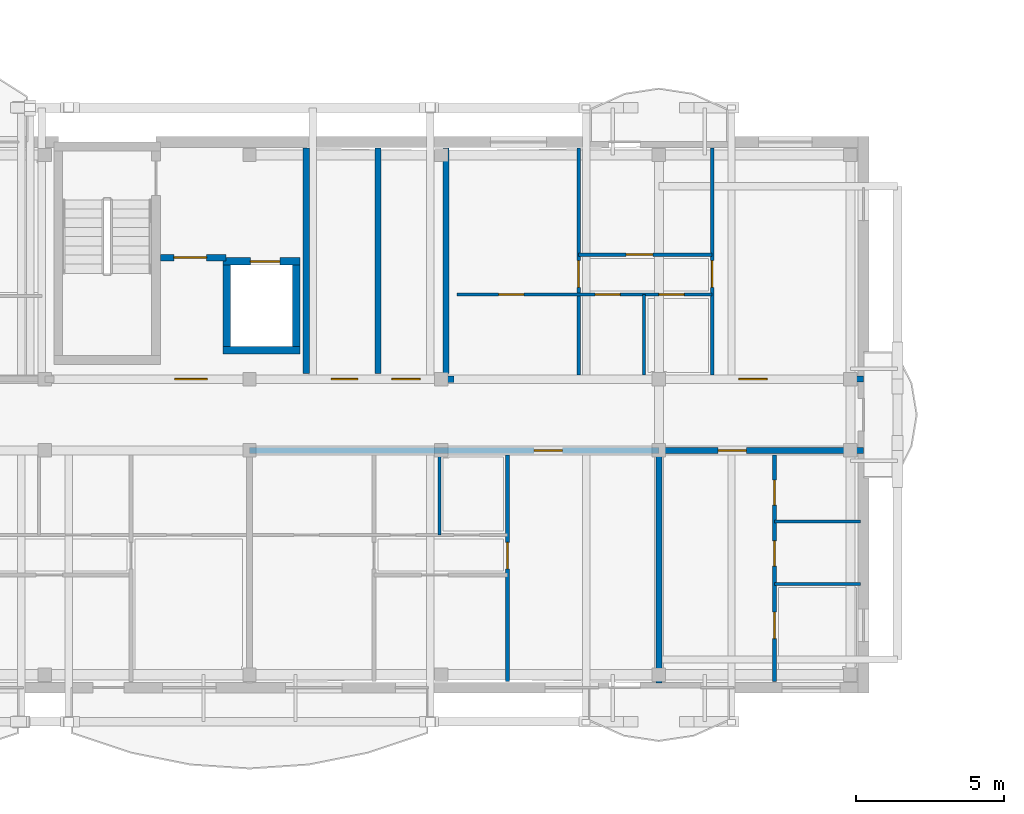
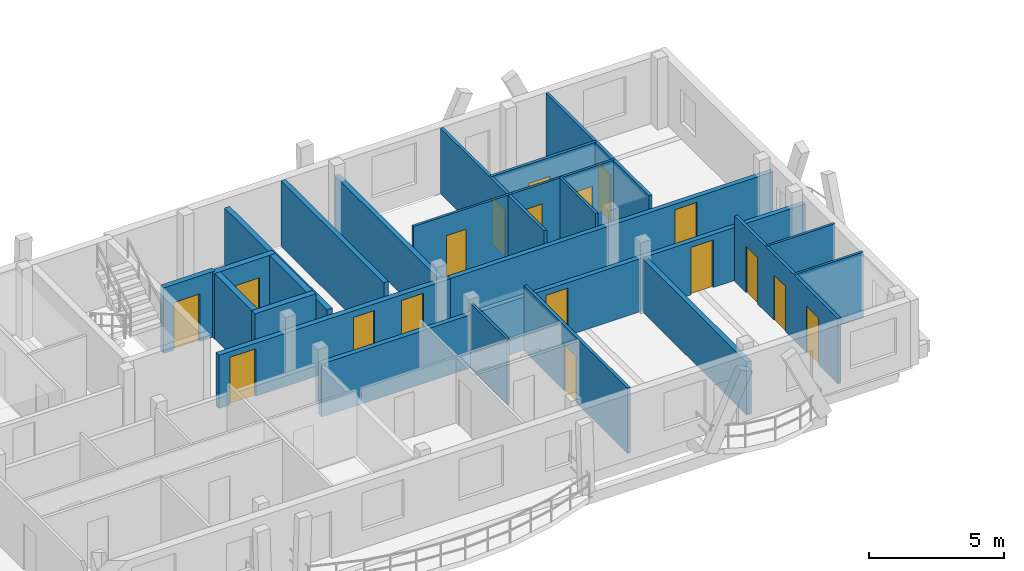
# One storey, part 16 of 41: 23 walls, 18 doors, 18 openings.
"""IFC4 building model written with IfcOpenShell, lengths in metres."""

from ifc_helpers import new_model, si_unit, direction, frame, frame_2d, origin, origin_with_axes, place, context, subcontext, project, spatial, rectangle, extrude, material, layer, layer_set, type_object, element, fill, save


model = new_model("IFC4")

# Units and contexts
model_context = context("Model", 3, precision=1e-05, world=origin(), true_north=direction((0.0, 1.0)))
body_context = subcontext(model_context, "Body", "Model", "MODEL_VIEW")
ifc_project = project(units=[si_unit("LENGTHUNIT", "METRE"), si_unit("AREAUNIT", "SQUARE_METRE"), si_unit("VOLUMEUNIT", "CUBIC_METRE"), si_unit("PLANEANGLEUNIT", "RADIAN"), si_unit("MASSUNIT", "GRAM", prefix="KILO")], contexts=[model_context])

# Site, building, storey
site_placement = place(None, origin())
site = spatial("IfcSite", under=ifc_project, at=site_placement, CompositionType="ELEMENT")
building_placement = place(site_placement, origin())
building = spatial("IfcBuilding", under=site, at=building_placement, Name="Zavelmont Quarter", CompositionType="ELEMENT")
storey_placement = place(building_placement, frame((0.0, 0.0, 27.199951171875)))
storey = spatial("IfcBuildingStorey", under=building, at=storey_placement, Name="L08", CompositionType="ELEMENT", Elevation=27.199951171875)

# Walls
ifc_material_1 = material(Name="Calcium-silicate blockwork and acoustic plaster", Category="masonry")
ifc_layer_1 = layer(ifc_material_1, 0.199951171875)
ifc_layer_set_1 = layer_set([ifc_layer_1], Name="Calcium-silicate blockwork and acoustic plaster")
wall_type_1 = type_object("IfcWallType", Name="IW01", PredefinedType="PARTITIONING", material=ifc_layer_set_1)
wall_1_placement = place(storey_placement, frame((38.824951171875, 10.60009765625, 0.0), z_axis=(0.0, 0.0, 1.0), x_axis=(0.0, 1.0, 0.0)))
element("IfcWall", 1, at=wall_1_placement, inside=storey, type_object=wall_type_1, Name="L08 Service riser divider wall IW01", PredefinedType="PARTITIONING", context=body_context, shape_type="SweptSolid", body=[
    extrude(rectangle(XDim=7.599853515625, YDim=0.199951171875, at=frame_2d((3.7998046875, 0.0))), origin(), (0.0, 0.0, 1.0), 2.9599609375),
])
wall_2_placement = place(storey_placement, frame((41.1201171875, 10.60009765625, 0.0), z_axis=(0.0, 0.0, 1.0), x_axis=(0.0, 1.0, 0.0)))
element("IfcWall", 2, at=wall_2_placement, inside=storey, type_object=wall_type_1, Name="L08 Core service end wall IW01", PredefinedType="PARTITIONING", context=body_context, shape_type="SweptSolid", body=[
    extrude(rectangle(XDim=7.599853515625, YDim=0.199951171875, at=frame_2d((3.7998046875, 0.0))), origin(), (0.0, 0.0, 1.0), 2.400146484375),
])
wall_3_placement = place(storey_placement, frame((48.300048828125, 7.85009765625, 0.0), z_axis=(0.0, 0.0, 1.0), x_axis=(0.0, -1.0, 0.0)))
element("IfcWall", 3, at=wall_3_placement, inside=storey, type_object=wall_type_1, Name="L08 Inter-dwelling compartment wall IW01", PredefinedType="PARTITIONING", context=body_context, shape_type="SweptSolid", body=[
    extrude(rectangle(XDim=7.7001953125, YDim=0.199951171875, at=frame_2d((3.85009765625, 0.0))), origin(), (0.0, 0.0, 1.0), 2.400146484375),
])

# Wall, opening, door
wall_4_placement = place(storey_placement, frame((34.5, 8.0, 0.0), z_axis=(0.0, 0.0, 1.0), x_axis=(1.0, 0.0, 0.0)))
wall_4 = element("IfcWall", 4, at=wall_4_placement, inside=storey, type_object=wall_type_1, Name="L08 Corridor compartment wall IW01", PredefinedType="PARTITIONING", context=body_context, shape_type="SweptSolid", body=[
    extrude(rectangle(XDim=13.800048828125, YDim=0.199951171875, at=frame_2d((6.89990234375, 0.0))), origin(), (0.0, 0.0, 1.0), 2.400146484375),
])
opening_1_placement = place(wall_4_placement, frame((9.60009765625, 0.0, 0.0)))
opening_1 = element("IfcOpeningElement", 5, at=opening_1_placement, cuts=wall_4, Name="Opening DR02", PredefinedType="OPENING", context=body_context, shape_type="SweptSolid", body=[
    extrude(rectangle(XDim=0.949951171875, YDim=2.14990234375, at=frame_2d((0.47509765625, 1.074951171875))), frame((0.0, 0.11181640625, 0.0), z_axis=(0.0, -1.0, 0.0), x_axis=(1.0, 0.0, 0.0)), (0.0, 0.0, 1.0), 0.223876953125),
])
ifc_material_2 = material(Name="Solid-core oak fire leaf in steel frame", Category="steel")
door_type_1 = type_object("IfcDoorType", Name="DR02", OperationType="NOTDEFINED", PredefinedType="DOOR", material=ifc_material_2)
door_1_placement = place(opening_1_placement, frame((0.949951171875, 0.0, 0.0), z_axis=(0.0, 0.0, 1.0), x_axis=(-1.0, 0.0, 0.0)))
door_1 = element("IfcDoor", 6, at=door_1_placement, inside=storey, type_object=door_type_1, Name="L08 door DR02", OperationType="SINGLE_SWING_LEFT", OverallHeight=2.14990234375, OverallWidth=0.949951171875, PredefinedType="DOOR", context=body_context, shape_type="SweptSolid", body=[
    extrude(rectangle(XDim=0.949951171875, YDim=2.14990234375, at=frame_2d((0.47509765625, 1.074951171875))), frame((0.0, 0.02490234375, 0.0), z_axis=(0.0, -1.0, 0.0), x_axis=(1.0, 0.0, 0.0)), (0.0, 0.0, 1.0), 0.050048828125),
])
fill(opening_1, door_1)

wall_5_placement = place(storey_placement, frame((48.300048828125, 8.0, 0.0), z_axis=(0.0, 0.0, 1.0), x_axis=(1.0, 0.0, 0.0)))
wall_5 = element("IfcWall", 7, at=wall_5_placement, inside=storey, type_object=wall_type_1, Name="L08 Corridor compartment wall IW01", PredefinedType="PARTITIONING", context=body_context, shape_type="SweptSolid", body=[
    extrude(rectangle(XDim=6.89990234375, YDim=0.199951171875, at=frame_2d((3.449951171875, 0.0))), origin(), (0.0, 0.0, 1.0), 2.400146484375),
])
opening_2_placement = place(wall_5_placement, frame((2.0, 0.0, 0.0)))
opening_2 = element("IfcOpeningElement", 8, at=opening_2_placement, cuts=wall_5, Name="Opening DR02", PredefinedType="OPENING", context=body_context, shape_type="SweptSolid", body=[
    extrude(rectangle(XDim=0.949951171875, YDim=2.14990234375, at=frame_2d((0.47509765625, 1.074951171875))), frame((0.0, 0.11181640625, 0.0), z_axis=(0.0, -1.0, 0.0), x_axis=(1.0, 0.0, 0.0)), (0.0, 0.0, 1.0), 0.223876953125),
])
door_2_placement = place(opening_2_placement, frame((0.949951171875, 0.0, 0.0), z_axis=(0.0, 0.0, 1.0), x_axis=(-1.0, 0.0, 0.0)))
door_2 = element("IfcDoor", 9, at=door_2_placement, inside=storey, type_object=door_type_1, Name="L08 door DR02", OperationType="SINGLE_SWING_LEFT", OverallHeight=2.14990234375, OverallWidth=0.949951171875, PredefinedType="DOOR", context=body_context, shape_type="SweptSolid", body=[
    extrude(rectangle(XDim=0.949951171875, YDim=2.14990234375, at=frame_2d((0.47509765625, 1.074951171875))), frame((0.0, 0.02490234375, 0.0), z_axis=(0.0, -1.0, 0.0), x_axis=(1.0, 0.0, 0.0)), (0.0, 0.0, 1.0), 0.050048828125),
])
fill(opening_2, door_2)

wall_6_placement = place(storey_placement, frame((41.39990234375, 10.39990234375, 0.0), z_axis=(0.0, 0.0, 1.0), x_axis=(1.0, 0.0, 0.0)))
wall_6 = element("IfcWall", 10, at=wall_6_placement, inside=storey, type_object=wall_type_1, Name="L08 Corridor compartment wall IW01", PredefinedType="PARTITIONING", context=body_context, shape_type="SweptSolid", body=[
    extrude(rectangle(XDim=13.800048828125, YDim=0.199951171875, at=frame_2d((6.89990234375, 0.0))), origin(), (0.0, 0.0, 1.0), 2.400146484375),
])
opening_3_placement = place(wall_6_placement, frame((9.60009765625, 0.0, 0.0)))
opening_3 = element("IfcOpeningElement", 11, at=opening_3_placement, cuts=wall_6, Name="Opening DR02", PredefinedType="OPENING", context=body_context, shape_type="SweptSolid", body=[
    extrude(rectangle(XDim=0.949951171875, YDim=2.14990234375, at=frame_2d((0.47509765625, 1.074951171875))), frame((0.0, 0.11181640625, 0.0), z_axis=(0.0, -1.0, 0.0), x_axis=(1.0, 0.0, 0.0)), (0.0, 0.0, 1.0), 0.223876953125),
])
door_3_placement = place(opening_3_placement, origin_with_axes())
door_3 = element("IfcDoor", 12, at=door_3_placement, inside=storey, type_object=door_type_1, Name="L08 door DR02", OperationType="SINGLE_SWING_LEFT", OverallHeight=2.14990234375, OverallWidth=0.949951171875, PredefinedType="DOOR", context=body_context, shape_type="SweptSolid", body=[
    extrude(rectangle(XDim=0.949951171875, YDim=2.14990234375, at=frame_2d((0.47509765625, 1.074951171875))), frame((0.0, 0.02490234375, 0.0), z_axis=(0.0, -1.0, 0.0), x_axis=(1.0, 0.0, 0.0)), (0.0, 0.0, 1.0), 0.050048828125),
])
fill(opening_3, door_3)

# Wall
ifc_material_3 = material(Name="Reinforced masonry fire compartment wall", Category="masonry")
ifc_layer_2 = layer(ifc_material_3, 0.22509765625)
ifc_layer_set_2 = layer_set([ifc_layer_2], Name="Reinforced masonry fire compartment wall")
wall_type_2 = type_object("IfcWallType", Name="IW02", PredefinedType="PARTITIONING", material=ifc_layer_set_2)
wall_7_placement = place(storey_placement, frame((36.409912109375, 10.60009765625, 0.0), z_axis=(0.0, 0.0, 1.0), x_axis=(0.0, 1.0, 0.0)))
element("IfcWall", 13, at=wall_7_placement, inside=storey, type_object=wall_type_2, Name="L08 Firefighting lobby enclosure wall IW02", PredefinedType="PARTITIONING", context=body_context, shape_type="SweptSolid", body=[
    extrude(rectangle(XDim=7.599853515625, YDim=0.22509765625, at=frame_2d((3.7998046875, 0.0))), origin(), (0.0, 0.0, 1.0), 2.590087890625),
])

# Wall, opening, door
wall_8_placement = place(storey_placement, frame((31.5, 14.5, 0.0), z_axis=(0.0, 0.0, 1.0), x_axis=(1.0, 0.0, 0.0)))
wall_8 = element("IfcWall", 14, at=wall_8_placement, inside=storey, type_object=wall_type_2, Name="L08 Firefighting lobby threshold wall IW02", PredefinedType="PARTITIONING", context=body_context, shape_type="SweptSolid", body=[
    extrude(rectangle(XDim=2.199951171875, YDim=0.22509765625, at=frame_2d((1.10009765625, 0.0))), origin(), (0.0, 0.0, 1.0), 2.9599609375),
])
opening_4_placement = place(wall_8_placement, frame((0.449951171875, 0.0, 0.0)))
opening_4 = element("IfcOpeningElement", 15, at=opening_4_placement, cuts=wall_8, Name="Opening DR10", PredefinedType="OPENING", context=body_context, shape_type="SweptSolid", body=[
    extrude(rectangle(XDim=1.10009765625, YDim=2.14990234375, at=frame_2d((0.550048828125, 1.074951171875))), frame((0.0, 0.12451171875, 0.0), z_axis=(0.0, -1.0, 0.0), x_axis=(1.0, 0.0, 0.0)), (0.0, 0.0, 1.0), 0.2490234375),
])
ifc_material_4 = material(Name="Painted steel lobby fire door", Category="steel")
door_type_2 = type_object("IfcDoorType", Name="DR10", OperationType="NOTDEFINED", PredefinedType="DOOR", material=ifc_material_4)
door_4_placement = place(opening_4_placement, origin_with_axes())
door_4 = element("IfcDoor", 16, at=door_4_placement, inside=storey, type_object=door_type_2, Name="Firefighting lobby fire door", OperationType="SINGLE_SWING_LEFT", OverallHeight=2.14990234375, OverallWidth=1.10009765625, PredefinedType="DOOR", context=body_context, shape_type="SweptSolid", body=[
    extrude(rectangle(XDim=1.10009765625, YDim=2.14990234375, at=frame_2d((0.550048828125, 1.074951171875))), frame((0.0, 0.02490234375, 0.0), z_axis=(0.0, -1.0, 0.0), x_axis=(1.0, 0.0, 0.0)), (0.0, 0.0, 1.0), 0.050048828125),
])
fill(opening_4, door_4)

# Wall, openings, doors
wall_9_placement = place(storey_placement, frame((31.5, 10.39990234375, 0.0), z_axis=(0.0, 0.0, 1.0), x_axis=(1.0, 0.0, 0.0)))
wall_9 = element("IfcWall", 17, at=wall_9_placement, inside=storey, type_object=wall_type_2, Name="L08 Core corridor fire wall IW02", PredefinedType="PARTITIONING", context=body_context, shape_type="SweptSolid", body=[
    extrude(rectangle(XDim=9.89990234375, YDim=0.22509765625, at=frame_2d((4.949951171875, 0.0))), origin(), (0.0, 0.0, 1.0), 2.400146484375),
])
opening_5_placement = place(wall_9_placement, frame((0.47509765625, 0.0, 0.0)))
opening_5 = element("IfcOpeningElement", 18, at=opening_5_placement, cuts=wall_9, Name="Opening DR10", PredefinedType="OPENING", context=body_context, shape_type="SweptSolid", body=[
    extrude(rectangle(XDim=1.10009765625, YDim=2.14990234375, at=frame_2d((0.550048828125, 1.074951171875))), frame((0.0, 0.12451171875, 0.0), z_axis=(0.0, -1.0, 0.0), x_axis=(1.0, 0.0, 0.0)), (0.0, 0.0, 1.0), 0.2490234375),
])
opening_6_placement = place(wall_9_placement, frame((5.75, 0.0, 0.0)))
opening_6 = element("IfcOpeningElement", 19, at=opening_6_placement, cuts=wall_9, Name="Opening DR11", PredefinedType="OPENING", context=body_context, shape_type="SweptSolid", body=[
    extrude(rectangle(XDim=0.89990234375, YDim=2.10009765625, at=frame_2d((0.449951171875, 1.050048828125))), frame((0.0, 0.12451171875, 0.0), z_axis=(0.0, -1.0, 0.0), x_axis=(1.0, 0.0, 0.0)), (0.0, 0.0, 1.0), 0.2490234375),
])
opening_7_placement = place(wall_9_placement, frame((7.800048828125, 0.0, 0.0)))
opening_7 = element("IfcOpeningElement", 20, at=opening_7_placement, cuts=wall_9, Name="Opening DR02", PredefinedType="OPENING", context=body_context, shape_type="SweptSolid", body=[
    extrude(rectangle(XDim=0.949951171875, YDim=2.14990234375, at=frame_2d((0.47509765625, 1.074951171875))), frame((0.0, 0.12451171875, 0.0), z_axis=(0.0, -1.0, 0.0), x_axis=(1.0, 0.0, 0.0)), (0.0, 0.0, 1.0), 0.2490234375),
])
door_5_placement = place(opening_7_placement, frame((0.949951171875, 0.0, 0.0), z_axis=(0.0, 0.0, 1.0), x_axis=(-1.0, 0.0, 0.0)))
door_5 = element("IfcDoor", 21, at=door_5_placement, inside=storey, type_object=door_type_1, Name="Auxiliary store corridor door", OperationType="SINGLE_SWING_RIGHT", OverallHeight=2.14990234375, OverallWidth=0.949951171875, PredefinedType="DOOR", context=body_context, shape_type="SweptSolid", body=[
    extrude(rectangle(XDim=0.949951171875, YDim=2.14990234375, at=frame_2d((0.47509765625, 1.074951171875))), frame((0.0, 0.02490234375, 0.0), z_axis=(0.0, -1.0, 0.0), x_axis=(1.0, 0.0, 0.0)), (0.0, 0.0, 1.0), 0.050048828125),
])
fill(opening_7, door_5)
door_6_placement = place(opening_5_placement, origin_with_axes())
door_6 = element("IfcDoor", 22, at=door_6_placement, inside=storey, type_object=door_type_2, Name="Core vestibule fire door", OperationType="SINGLE_SWING_RIGHT", OverallHeight=2.14990234375, OverallWidth=1.10009765625, PredefinedType="DOOR", context=body_context, shape_type="SweptSolid", body=[
    extrude(rectangle(XDim=1.10009765625, YDim=2.14990234375, at=frame_2d((0.550048828125, 1.074951171875))), frame((0.0, 0.02490234375, 0.0), z_axis=(0.0, -1.0, 0.0), x_axis=(1.0, 0.0, 0.0)), (0.0, 0.0, 1.0), 0.050048828125),
])
fill(opening_5, door_6)
ifc_material_5 = material(Name="Painted steel service-riser fire door", Category="steel")
door_type_3 = type_object("IfcDoorType", Name="DR11", OperationType="NOTDEFINED", PredefinedType="DOOR", material=ifc_material_5)
door_7_placement = place(opening_6_placement, frame((0.89990234375, 0.0, 0.0), z_axis=(0.0, 0.0, 1.0), x_axis=(-1.0, 0.0, 0.0)))
door_7 = element("IfcDoor", 23, at=door_7_placement, inside=storey, type_object=door_type_3, Name="Service riser fire door", OperationType="SINGLE_SWING_LEFT", OverallHeight=2.10009765625, OverallWidth=0.89990234375, PredefinedType="DOOR", context=body_context, shape_type="SweptSolid", body=[
    extrude(rectangle(XDim=0.89990234375, YDim=2.10009765625, at=frame_2d((0.449951171875, 1.050048828125))), frame((0.0, 0.02490234375, 0.0), z_axis=(0.0, -1.0, 0.0), x_axis=(1.0, 0.0, 0.0)), (0.0, 0.0, 1.0), 0.050048828125),
])
fill(opening_6, door_7)

# Wall, opening, door
ifc_material_6 = material(Name="Double gypsum board on acoustic steel stud", Category="steel")
ifc_layer_3 = layer(ifc_material_6, 0.125)
ifc_layer_set_3 = layer_set([ifc_layer_3], Name="Double gypsum board on acoustic steel stud")
wall_type_3 = type_object("IfcWallType", Name="IW03", PredefinedType="PARTITIONING", material=ifc_layer_set_3)
wall_10_placement = place(storey_placement, frame((43.199951171875, 7.85009765625, 0.0), z_axis=(0.0, 0.0, 1.0), x_axis=(0.0, -1.0, 0.0)))
wall_10 = element("IfcWall", 24, at=wall_10_placement, inside=storey, type_object=wall_type_3, Name="L08 Partition IW03", PredefinedType="PARTITIONING", context=body_context, shape_type="SweptSolid", body=[
    extrude(rectangle(XDim=7.650146484375, YDim=0.125, at=frame_2d((3.8251953125, 0.0))), origin(), (0.0, 0.0, 1.0), 2.9599609375),
])
opening_8_placement = place(wall_10_placement, frame((2.949951171875, 0.0, 0.0)))
opening_8 = element("IfcOpeningElement", 25, at=opening_8_placement, cuts=wall_10, Name="Opening DR05", PredefinedType="OPENING", context=body_context, shape_type="SweptSolid", body=[
    extrude(rectangle(XDim=0.89990234375, YDim=2.10009765625, at=frame_2d((0.449951171875, 1.050048828125))), frame((0.0, 0.074462890625, 0.0), z_axis=(0.0, -1.0, 0.0), x_axis=(1.0, 0.0, 0.0)), (0.0, 0.0, 1.0), 0.14892578125),
])
ifc_material_7 = material(Name="Engineered oak flush interior door")
door_type_4 = type_object("IfcDoorType", Name="DR05", OperationType="NOTDEFINED", PredefinedType="DOOR", material=ifc_material_7)
door_8_placement = place(opening_8_placement, origin_with_axes())
door_8 = element("IfcDoor", 26, at=door_8_placement, inside=storey, type_object=door_type_4, Name="L08 door DR05", OperationType="SINGLE_SWING_LEFT", OverallHeight=2.10009765625, OverallWidth=0.89990234375, PredefinedType="DOOR", context=body_context, shape_type="SweptSolid", body=[
    extrude(rectangle(XDim=0.89990234375, YDim=2.10009765625, at=frame_2d((0.449951171875, 1.050048828125))), frame((0.0, 0.02490234375, 0.0), z_axis=(0.0, -1.0, 0.0), x_axis=(1.0, 0.0, 0.0)), (0.0, 0.0, 1.0), 0.050048828125),
])
fill(opening_8, door_8)

# Wall, openings, doors
wall_11_placement = place(storey_placement, frame((52.199951171875, 7.85009765625, 0.0), z_axis=(0.0, 0.0, 1.0), x_axis=(0.0, -1.0, 0.0)))
wall_11 = element("IfcWall", 27, at=wall_11_placement, inside=storey, type_object=wall_type_3, Name="L08 Partition IW03", PredefinedType="PARTITIONING", context=body_context, shape_type="SweptSolid", body=[
    extrude(rectangle(XDim=7.650146484375, YDim=0.125, at=frame_2d((3.8251953125, 0.0))), origin(), (0.0, 0.0, 1.0), 2.9599609375),
])
opening_9_placement = place(wall_11_placement, frame((0.85009765625, 0.0, 0.0)))
opening_9 = element("IfcOpeningElement", 28, at=opening_9_placement, cuts=wall_11, Name="Opening DR16", PredefinedType="OPENING", context=body_context, shape_type="SweptSolid", body=[
    extrude(rectangle(XDim=0.85009765625, YDim=2.10009765625, at=frame_2d((0.425048828125, 1.050048828125))), frame((0.0, 0.074462890625, 0.0), z_axis=(0.0, -1.0, 0.0), x_axis=(1.0, 0.0, 0.0)), (0.0, 0.0, 1.0), 0.14892578125),
])
opening_10_placement = place(wall_11_placement, frame((2.89990234375, 0.0, 0.0)))
opening_10 = element("IfcOpeningElement", 29, at=opening_10_placement, cuts=wall_11, Name="Opening DR06", PredefinedType="OPENING", context=body_context, shape_type="SweptSolid", body=[
    extrude(rectangle(XDim=0.85009765625, YDim=2.050048828125, at=frame_2d((0.425048828125, 1.02490234375))), frame((0.0, 0.074462890625, 0.0), z_axis=(0.0, -1.0, 0.0), x_axis=(1.0, 0.0, 0.0)), (0.0, 0.0, 1.0), 0.14892578125),
])
opening_11_placement = place(wall_11_placement, frame((5.300048828125, 0.0, 0.0)))
opening_11 = element("IfcOpeningElement", 30, at=opening_11_placement, cuts=wall_11, Name="Opening DR05", PredefinedType="OPENING", context=body_context, shape_type="SweptSolid", body=[
    extrude(rectangle(XDim=0.89990234375, YDim=2.10009765625, at=frame_2d((0.449951171875, 1.050048828125))), frame((0.0, 0.074462890625, 0.0), z_axis=(0.0, -1.0, 0.0), x_axis=(1.0, 0.0, 0.0)), (0.0, 0.0, 1.0), 0.14892578125),
])
door_9_placement = place(opening_11_placement, frame((0.89990234375, 0.0, 0.0), z_axis=(0.0, 0.0, 1.0), x_axis=(-1.0, 0.0, 0.0)))
door_9 = element("IfcDoor", 31, at=door_9_placement, inside=storey, type_object=door_type_4, Name="L08 door DR05", OperationType="SINGLE_SWING_LEFT", OverallHeight=2.10009765625, OverallWidth=0.89990234375, PredefinedType="DOOR", context=body_context, shape_type="SweptSolid", body=[
    extrude(rectangle(XDim=0.89990234375, YDim=2.10009765625, at=frame_2d((0.449951171875, 1.050048828125))), frame((0.0, 0.02490234375, 0.0), z_axis=(0.0, -1.0, 0.0), x_axis=(1.0, 0.0, 0.0)), (0.0, 0.0, 1.0), 0.050048828125),
])
fill(opening_11, door_9)
ifc_material_8 = material(Name="Moisture-resistant painted wet-room door")
door_type_5 = type_object("IfcDoorType", Name="DR06", OperationType="NOTDEFINED", PredefinedType="DOOR", material=ifc_material_8)
door_10_placement = place(opening_10_placement, origin_with_axes())
door_10 = element("IfcDoor", 32, at=door_10_placement, inside=storey, type_object=door_type_5, Name="L08 door DR06", OperationType="SINGLE_SWING_RIGHT", OverallHeight=2.050048828125, OverallWidth=0.85009765625, PredefinedType="DOOR", context=body_context, shape_type="SweptSolid", body=[
    extrude(rectangle(XDim=0.85009765625, YDim=2.050048828125, at=frame_2d((0.425048828125, 1.02490234375))), frame((0.0, 0.02490234375, 0.0), z_axis=(0.0, -1.0, 0.0), x_axis=(1.0, 0.0, 0.0)), (0.0, 0.0, 1.0), 0.050048828125),
])
fill(opening_10, door_10)
door_type_6 = type_object("IfcDoorType", Name="DR16", OperationType="NOTDEFINED", PredefinedType="DOOR", material=ifc_material_7)
door_11_placement = place(opening_9_placement, frame((0.85009765625, 0.0, 0.0), z_axis=(0.0, 0.0, 1.0), x_axis=(-1.0, 0.0, 0.0)))
door_11 = element("IfcDoor", 33, at=door_11_placement, inside=storey, type_object=door_type_6, Name="L08 door DR16", OperationType="SINGLE_SWING_LEFT", OverallHeight=2.10009765625, OverallWidth=0.85009765625, PredefinedType="DOOR", context=body_context, shape_type="SweptSolid", body=[
    extrude(rectangle(XDim=0.85009765625, YDim=2.10009765625, at=frame_2d((0.425048828125, 1.050048828125))), frame((0.0, 0.02490234375, 0.0), z_axis=(0.0, -1.0, 0.0), x_axis=(1.0, 0.0, 0.0)), (0.0, 0.0, 1.0), 0.050048828125),
])
fill(opening_9, door_11)

# Wall, opening, door
wall_12_placement = place(storey_placement, frame((50.10009765625, 10.550048828125, 0.0), z_axis=(0.0, 0.0, 1.0), x_axis=(0.0, 1.0, 0.0)))
wall_12 = element("IfcWall", 34, at=wall_12_placement, inside=storey, type_object=wall_type_3, Name="L08 Partition IW03", PredefinedType="PARTITIONING", context=body_context, shape_type="SweptSolid", body=[
    extrude(rectangle(XDim=7.64990234375, YDim=0.125, at=frame_2d((3.824951171875, 0.0))), origin(), (0.0, 0.0, 1.0), 2.9599609375),
])
opening_12_placement = place(wall_12_placement, frame((2.949951171875, 0.0, 0.0)))
opening_12 = element("IfcOpeningElement", 35, at=opening_12_placement, cuts=wall_12, Name="Opening DR05", PredefinedType="OPENING", context=body_context, shape_type="SweptSolid", body=[
    extrude(rectangle(XDim=0.89990234375, YDim=2.10009765625, at=frame_2d((0.449951171875, 1.050048828125))), frame((0.0, 0.074462890625, 0.0), z_axis=(0.0, -1.0, 0.0), x_axis=(1.0, 0.0, 0.0)), (0.0, 0.0, 1.0), 0.14892578125),
])
door_12_placement = place(opening_12_placement, origin_with_axes())
door_12 = element("IfcDoor", 36, at=door_12_placement, inside=storey, type_object=door_type_4, Name="L08 door DR05", OperationType="SINGLE_SWING_LEFT", OverallHeight=2.10009765625, OverallWidth=0.89990234375, PredefinedType="DOOR", context=body_context, shape_type="SweptSolid", body=[
    extrude(rectangle(XDim=0.89990234375, YDim=2.10009765625, at=frame_2d((0.449951171875, 1.050048828125))), frame((0.0, 0.02490234375, 0.0), z_axis=(0.0, -1.0, 0.0), x_axis=(1.0, 0.0, 0.0)), (0.0, 0.0, 1.0), 0.050048828125),
])
fill(opening_12, door_12)

wall_13_placement = place(storey_placement, frame((45.60009765625, 10.550048828125, 0.0), z_axis=(0.0, 0.0, 1.0), x_axis=(0.0, 1.0, 0.0)))
wall_13 = element("IfcWall", 37, at=wall_13_placement, inside=storey, type_object=wall_type_3, Name="L08 Partition IW03", PredefinedType="PARTITIONING", context=body_context, shape_type="SweptSolid", body=[
    extrude(rectangle(XDim=7.64990234375, YDim=0.125, at=frame_2d((3.824951171875, 0.0))), origin(), (0.0, 0.0, 1.0), 2.9599609375),
])
opening_13_placement = place(wall_13_placement, frame((2.949951171875, 0.0, 0.0)))
opening_13 = element("IfcOpeningElement", 38, at=opening_13_placement, cuts=wall_13, Name="Opening DR05", PredefinedType="OPENING", context=body_context, shape_type="SweptSolid", body=[
    extrude(rectangle(XDim=0.89990234375, YDim=2.10009765625, at=frame_2d((0.449951171875, 1.050048828125))), frame((0.0, 0.074462890625, 0.0), z_axis=(0.0, -1.0, 0.0), x_axis=(1.0, 0.0, 0.0)), (0.0, 0.0, 1.0), 0.14892578125),
])
door_13_placement = place(opening_13_placement, frame((0.89990234375, 0.0, 0.0), z_axis=(0.0, 0.0, 1.0), x_axis=(-1.0, 0.0, 0.0)))
door_13 = element("IfcDoor", 39, at=door_13_placement, inside=storey, type_object=door_type_4, Name="L08 door DR05", OperationType="SINGLE_SWING_RIGHT", OverallHeight=2.10009765625, OverallWidth=0.89990234375, PredefinedType="DOOR", context=body_context, shape_type="SweptSolid", body=[
    extrude(rectangle(XDim=0.89990234375, YDim=2.10009765625, at=frame_2d((0.449951171875, 1.050048828125))), frame((0.0, 0.02490234375, 0.0), z_axis=(0.0, -1.0, 0.0), x_axis=(1.0, 0.0, 0.0)), (0.0, 0.0, 1.0), 0.050048828125),
])
fill(opening_13, door_13)

wall_14_placement = place(storey_placement, frame((45.60009765625, 14.60009765625, 0.0), z_axis=(0.0, 0.0, 1.0), x_axis=(1.0, 0.0, 0.0)))
wall_14 = element("IfcWall", 40, at=wall_14_placement, inside=storey, type_object=wall_type_3, Name="L08 Partition IW03", PredefinedType="PARTITIONING", context=body_context, shape_type="SweptSolid", body=[
    extrude(rectangle(XDim=4.5, YDim=0.125, at=frame_2d((2.25, 0.0))), origin(), (0.0, 0.0, 1.0), 2.9599609375),
])
opening_14_placement = place(wall_14_placement, frame((1.60009765625, 0.0, 0.0)))
opening_14 = element("IfcOpeningElement", 41, at=opening_14_placement, cuts=wall_14, Name="Opening DR05", PredefinedType="OPENING", context=body_context, shape_type="SweptSolid", body=[
    extrude(rectangle(XDim=0.89990234375, YDim=2.10009765625, at=frame_2d((0.449951171875, 1.050048828125))), frame((0.0, 0.074462890625, 0.0), z_axis=(0.0, -1.0, 0.0), x_axis=(1.0, 0.0, 0.0)), (0.0, 0.0, 1.0), 0.14892578125),
])
door_14_placement = place(opening_14_placement, frame((0.89990234375, 0.0, 0.0), z_axis=(0.0, 0.0, 1.0), x_axis=(-1.0, 0.0, 0.0)))
door_14 = element("IfcDoor", 42, at=door_14_placement, inside=storey, type_object=door_type_4, Name="L08 door DR05", OperationType="SINGLE_SWING_RIGHT", OverallHeight=2.10009765625, OverallWidth=0.89990234375, PredefinedType="DOOR", context=body_context, shape_type="SweptSolid", body=[
    extrude(rectangle(XDim=0.89990234375, YDim=2.10009765625, at=frame_2d((0.449951171875, 1.050048828125))), frame((0.0, 0.02490234375, 0.0), z_axis=(0.0, -1.0, 0.0), x_axis=(1.0, 0.0, 0.0)), (0.0, 0.0, 1.0), 0.050048828125),
])
fill(opening_14, door_14)

# Walls
ifc_material_9 = material(Name="Moisture-resistant gypsum board on steel stud", Category="steel")
ifc_layer_4 = layer(ifc_material_9, 0.10009765625)
ifc_layer_set_4 = layer_set([ifc_layer_4], Name="Moisture-resistant gypsum board on steel stud")
wall_type_4 = type_object("IfcWallType", Name="IW04", PredefinedType="PARTITIONING", material=ifc_layer_set_4)
wall_15_placement = place(storey_placement, frame((40.89990234375, 7.85009765625, 0.0), z_axis=(0.0, 0.0, 1.0), x_axis=(0.0, -1.0, 0.0)))
element("IfcWall", 43, at=wall_15_placement, inside=storey, type_object=wall_type_4, Name="L08 Partition IW04", PredefinedType="PARTITIONING", context=body_context, shape_type="SweptSolid", body=[
    extrude(rectangle(XDim=2.7001953125, YDim=0.10009765625, at=frame_2d((1.35009765625, 0.0))), origin(), (0.0, 0.0, 1.0), 2.9599609375),
])
for number, where, z_axis, x_axis, name in (
    (44, (52.199951171875, 5.60009765625, 0.0), (0.0, 0.0, 1.0), (1.0, 0.0, 0.0), "L08 Partition IW04"),
    (45, (52.199951171875, 3.5, 0.0), (0.0, 0.0, 1.0), (1.0, 0.0, 0.0), "L08 Partition IW04"),
):
    element("IfcWall", number, at=place(storey_placement, frame(where, z_axis=z_axis, x_axis=x_axis)), inside=storey, type_object=wall_type_4, Name=name, PredefinedType="PARTITIONING", context=body_context, shape_type="SweptSolid", body=[
        extrude(rectangle(XDim=2.900146484375, YDim=0.10009765625, at=frame_2d((1.4501953125, 0.0))), origin(), (0.0, 0.0, 1.0), 2.9599609375),
    ])
wall_16_placement = place(storey_placement, frame((47.800048828125, 10.550048828125, 0.0), z_axis=(0.0, 0.0, 1.0), x_axis=(0.0, 1.0, 0.0)))
element("IfcWall", 46, at=wall_16_placement, inside=storey, type_object=wall_type_4, Name="L08 Partition IW04", PredefinedType="PARTITIONING", context=body_context, shape_type="SweptSolid", body=[
    extrude(rectangle(XDim=2.699951171875, YDim=0.10009765625, at=frame_2d((1.35009765625, 0.0))), origin(), (0.0, 0.0, 1.0), 2.9599609375),
])

# Wall, openings, doors
wall_17_placement = place(storey_placement, frame((41.5, 13.25, 0.0), z_axis=(0.0, 0.0, 1.0), x_axis=(1.0, 0.0, 0.0)))
wall_17 = element("IfcWall", 47, at=wall_17_placement, inside=storey, type_object=wall_type_4, Name="L08 Partition IW04", PredefinedType="PARTITIONING", context=body_context, shape_type="SweptSolid", body=[
    extrude(rectangle(XDim=8.60009765625, YDim=0.10009765625, at=frame_2d((4.300048828125, 0.0))), origin(), (0.0, 0.0, 1.0), 2.9599609375),
])
opening_15_placement = place(wall_17_placement, frame((1.39990234375, 0.0, 0.0)))
opening_15 = element("IfcOpeningElement", 48, at=opening_15_placement, cuts=wall_17, Name="Opening DR06", PredefinedType="OPENING", context=body_context, shape_type="SweptSolid", body=[
    extrude(rectangle(XDim=0.85009765625, YDim=2.050048828125, at=frame_2d((0.425048828125, 1.02490234375))), frame((0.0, 0.06201171875, 0.0), z_axis=(0.0, -1.0, 0.0), x_axis=(1.0, 0.0, 0.0)), (0.0, 0.0, 1.0), 0.1240234375),
])
opening_16_placement = place(wall_17_placement, frame((4.64990234375, 0.0, 0.0)))
opening_16 = element("IfcOpeningElement", 49, at=opening_16_placement, cuts=wall_17, Name="Opening DR06", PredefinedType="OPENING", context=body_context, shape_type="SweptSolid", body=[
    extrude(rectangle(XDim=0.85009765625, YDim=2.050048828125, at=frame_2d((0.425048828125, 1.02490234375))), frame((0.0, 0.06201171875, 0.0), z_axis=(0.0, -1.0, 0.0), x_axis=(1.0, 0.0, 0.0)), (0.0, 0.0, 1.0), 0.1240234375),
])
opening_17_placement = place(wall_17_placement, frame((6.800048828125, 0.0, 0.0)))
opening_17 = element("IfcOpeningElement", 50, at=opening_17_placement, cuts=wall_17, Name="Opening DR16", PredefinedType="OPENING", context=body_context, shape_type="SweptSolid", body=[
    extrude(rectangle(XDim=0.85009765625, YDim=2.10009765625, at=frame_2d((0.425048828125, 1.050048828125))), frame((0.0, 0.06201171875, 0.0), z_axis=(0.0, -1.0, 0.0), x_axis=(1.0, 0.0, 0.0)), (0.0, 0.0, 1.0), 0.1240234375),
])
door_15_placement = place(opening_15_placement, origin_with_axes())
door_15 = element("IfcDoor", 51, at=door_15_placement, inside=storey, type_object=door_type_5, Name="L08 door DR06", OperationType="SINGLE_SWING_LEFT", OverallHeight=2.050048828125, OverallWidth=0.85009765625, PredefinedType="DOOR", context=body_context, shape_type="SweptSolid", body=[
    extrude(rectangle(XDim=0.85009765625, YDim=2.050048828125, at=frame_2d((0.425048828125, 1.02490234375))), frame((0.0, 0.02490234375, 0.0), z_axis=(0.0, -1.0, 0.0), x_axis=(1.0, 0.0, 0.0)), (0.0, 0.0, 1.0), 0.050048828125),
])
fill(opening_15, door_15)
door_16_placement = place(opening_16_placement, frame((0.85009765625, 0.0, 0.0), z_axis=(0.0, 0.0, 1.0), x_axis=(-1.0, 0.0, 0.0)))
door_16 = element("IfcDoor", 52, at=door_16_placement, inside=storey, type_object=door_type_5, Name="L08 door DR06", OperationType="SINGLE_SWING_RIGHT", OverallHeight=2.050048828125, OverallWidth=0.85009765625, PredefinedType="DOOR", context=body_context, shape_type="SweptSolid", body=[
    extrude(rectangle(XDim=0.85009765625, YDim=2.050048828125, at=frame_2d((0.425048828125, 1.02490234375))), frame((0.0, 0.02490234375, 0.0), z_axis=(0.0, -1.0, 0.0), x_axis=(1.0, 0.0, 0.0)), (0.0, 0.0, 1.0), 0.050048828125),
])
fill(opening_16, door_16)
door_17_placement = place(opening_17_placement, origin_with_axes())
door_17 = element("IfcDoor", 53, at=door_17_placement, inside=storey, type_object=door_type_6, Name="L08 door DR16", OperationType="SINGLE_SWING_LEFT", OverallHeight=2.10009765625, OverallWidth=0.85009765625, PredefinedType="DOOR", context=body_context, shape_type="SweptSolid", body=[
    extrude(rectangle(XDim=0.85009765625, YDim=2.10009765625, at=frame_2d((0.425048828125, 1.050048828125))), frame((0.0, 0.02490234375, 0.0), z_axis=(0.0, -1.0, 0.0), x_axis=(1.0, 0.0, 0.0)), (0.0, 0.0, 1.0), 0.050048828125),
])
fill(opening_17, door_17)

# Wall, opening, door
ifc_material_10 = material(Name="Concrete C40/50", Category="concrete")
ifc_layer_5 = layer(ifc_material_10, 0.25)
ifc_layer_set_5 = layer_set([ifc_layer_5], Name="Concrete C40/50")
wall_type_5 = type_object("IfcWallType", Name="SW02", PredefinedType="SHEAR", material=ifc_layer_set_5)
wall_18_placement = place(storey_placement, frame((33.60009765625, 14.375, 0.0), z_axis=(0.0, 0.0, 1.0), x_axis=(1.0, 0.0, 0.0)))
wall_18 = element("IfcWall", 54, at=wall_18_placement, inside=storey, type_object=wall_type_5, Name="L08 Lift LF02 landing shaft wall SW02", PredefinedType="SHEAR", context=body_context, shape_type="SweptSolid", body=[
    extrude(rectangle(XDim=2.599853515625, YDim=0.25, at=frame_2d((1.2998046875, 0.0))), origin(), (0.0, 0.0, 1.0), 2.9599609375),
])
opening_18_placement = place(wall_18_placement, frame((0.925048828125, 0.0, 0.0)))
opening_18 = element("IfcOpeningElement", 55, at=opening_18_placement, cuts=wall_18, Name="Opening LD01", PredefinedType="OPENING", context=body_context, shape_type="SweptSolid", body=[
    extrude(rectangle(XDim=1.0, YDim=2.10009765625, at=frame_2d((0.5, 1.050048828125))), frame((0.0, 0.136962890625, 0.0), z_axis=(0.0, -1.0, 0.0), x_axis=(1.0, 0.0, 0.0)), (0.0, 0.0, 1.0), 0.27392578125),
])
ifc_material_11 = material(Name="Brushed stainless-steel automatic sliding landing door", Category="steel")
door_type_7 = type_object("IfcDoorType", Name="LD01", OperationType="SLIDING_TO_LEFT", PredefinedType="DOOR", material=ifc_material_11)
door_18_placement = place(opening_18_placement, origin_with_axes())
door_18 = element("IfcDoor", 56, at=door_18_placement, inside=storey, type_object=door_type_7, Name="Lift LF02 sliding landing door", OperationType="SLIDING_TO_LEFT", OverallHeight=2.10009765625, OverallWidth=1.0, PredefinedType="DOOR", context=body_context, shape_type="SweptSolid", body=[
    extrude(rectangle(XDim=1.0, YDim=2.10009765625, at=frame_2d((0.5, 1.050048828125))), frame((0.0, 0.02490234375, 0.0), z_axis=(0.0, -1.0, 0.0), x_axis=(1.0, 0.0, 0.0)), (0.0, 0.0, 1.0), 0.050048828125),
])
fill(opening_18, door_18)

# Walls
wall_19_placement = place(storey_placement, frame((33.60009765625, 11.375, 0.0), z_axis=(0.0, 0.0, 1.0), x_axis=(1.0, 0.0, 0.0)))
element("IfcWall", 57, at=wall_19_placement, inside=storey, type_object=wall_type_5, Name="L08 Lift LF02 back shaft wall SW02", PredefinedType="SHEAR", context=body_context, shape_type="SweptSolid", body=[
    extrude(rectangle(XDim=2.599853515625, YDim=0.25, at=frame_2d((1.2998046875, 0.0))), origin(), (0.0, 0.0, 1.0), 2.9599609375),
])
for number, where, z_axis, x_axis, name in (
    (58, (33.72509765625, 11.25, 0.0), (0.0, 0.0, 1.0), (0.0, 1.0, 0.0), "L08 Lift LF02 west shaft wall SW02"),
    (59, (36.074951171875, 11.25, 0.0), (0.0, 0.0, 1.0), (0.0, 1.0, 0.0), "L08 Lift LF02 east shaft wall SW02"),
):
    element("IfcWall", number, at=place(storey_placement, frame(where, z_axis=z_axis, x_axis=x_axis)), inside=storey, type_object=wall_type_5, Name=name, PredefinedType="SHEAR", context=body_context, shape_type="SweptSolid", body=[
        extrude(rectangle(XDim=3.25, YDim=0.25, at=frame_2d((1.625, 0.0))), origin(), (0.0, 0.0, 1.0), 2.9599609375),
    ])

save(model, "model.ifc")
